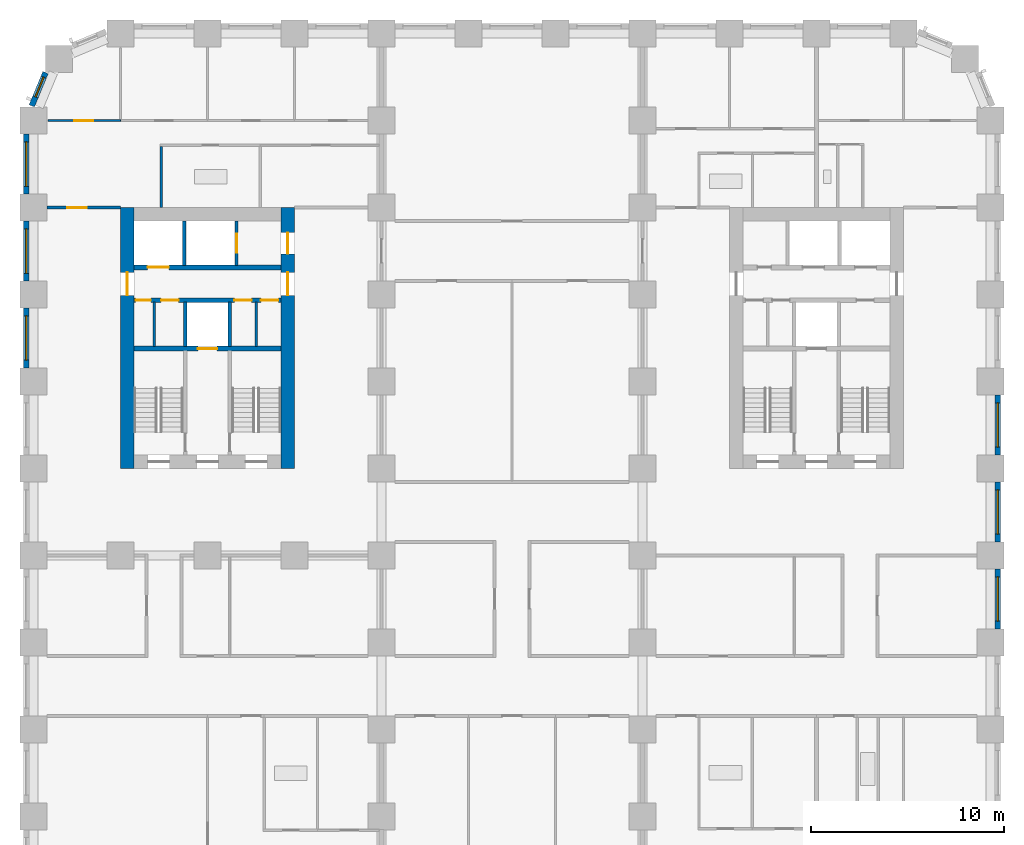
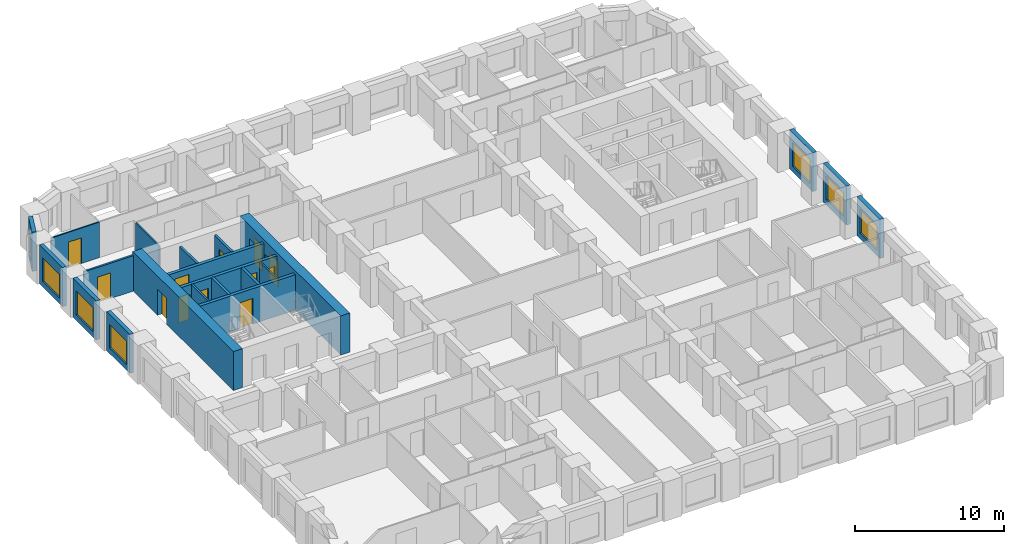
# One storey, part 6 of 12: 21 walls, 12 doors, 7 windows, 19 openings.
"""IFC4 building model written with IfcOpenShell, lengths in metres."""

from ifc_helpers import new_model, si_unit, direction, frame, frame_2d, origin, place, context, subcontext, project, spatial, rectangle, extrude, material, layer, layer_set, type_object, element, fill, save


model = new_model("IFC4")

# Units and contexts
model_context = context("Model", 3, precision=1e-05, world=origin(), true_north=direction((0.0, 1.0)))
body_context = subcontext(model_context, "Body", "Model", "MODEL_VIEW")
ifc_project = project(units=[si_unit("LENGTHUNIT", "METRE"), si_unit("AREAUNIT", "SQUARE_METRE"), si_unit("VOLUMEUNIT", "CUBIC_METRE"), si_unit("PLANEANGLEUNIT", "RADIAN"), si_unit("MASSUNIT", "GRAM", prefix="KILO")], contexts=[model_context])

# Site, building, storey
site_placement = place(None, origin())
site = spatial("IfcSite", under=ifc_project, at=site_placement, CompositionType="ELEMENT")
building_placement = place(site_placement, origin())
building = spatial("IfcBuilding", under=site, at=building_placement, Name="Girih Gate Residences", CompositionType="ELEMENT")
storey_placement = place(building_placement, frame((0.0, 0.0, 36.800048828125)))
storey = spatial("IfcBuildingStorey", under=building, at=storey_placement, Name="L08", CompositionType="ELEMENT", Elevation=36.800048828125)

# Wall, opening, door
ifc_material_1 = material(Name="Gypsum board on steel studs", Category="steel")
ifc_layer_1 = layer(ifc_material_1, 0.14990234375)
ifc_layer_set_1 = layer_set([ifc_layer_1], Name="Compartment wall 150 mm")
wall_type_1 = type_object("IfcWallType", Name="Compartment wall 150 mm", PredefinedType="PARTITIONING", material=ifc_layer_set_1)
wall_1_placement = place(storey_placement, frame((0.699951171875, 40.5, 0.0), z_axis=(0.0, 0.0, 1.0), x_axis=(1.0, 0.0, 0.0)))
wall_1 = element("IfcWall", 1, at=wall_1_placement, inside=storey, type_object=wall_type_1, Name="L08 partition", PredefinedType="PARTITIONING", context=body_context, shape_type="SweptSolid", body=[
    extrude(rectangle(XDim=3.800048828125, YDim=0.14990234375, at=frame_2d((1.89990234375, 0.0))), origin(), (0.0, 0.0, 1.0), 2.89990234375),
])
opening_1_placement = place(wall_1_placement, frame((1.050048828125, 0.0, 0.0)))
opening_1 = element("IfcOpeningElement", 2, at=opening_1_placement, cuts=wall_1, Name="Opening A08-014", PredefinedType="OPENING", context=body_context, shape_type="SweptSolid", body=[
    extrude(rectangle(XDim=1.0, YDim=2.10009765625, at=frame_2d((0.5, 1.050048828125))), frame((0.0, 0.0849609375, 0.0), z_axis=(0.0, -1.0, 0.0), x_axis=(1.0, 0.0, 0.0)), (0.0, 0.0, 1.0), 0.169921875),
])
ifc_material_2 = material(Name="Timber, fire-rated core", Category="wood")
door_type_1 = type_object("IfcDoorType", Name="Flat entrance door 1000x2100 FD30S", OperationType="NOTDEFINED", PredefinedType="DOOR", material=ifc_material_2)
door_1_placement = place(opening_1_placement, origin())
door_1 = element("IfcDoor", 3, at=door_1_placement, inside=storey, type_object=door_type_1, Name="Door A08-014", OperationType="SINGLE_SWING_LEFT", OverallHeight=2.10009765625, OverallWidth=1.0, PredefinedType="DOOR", context=body_context, shape_type="SweptSolid", body=[
    extrude(rectangle(XDim=1.0, YDim=2.10009765625, at=frame_2d((0.5, 1.050048828125))), frame((0.0, 0.02490234375, 0.0), z_axis=(0.0, -1.0, 0.0), x_axis=(1.0, 0.0, 0.0)), (0.0, 0.0, 1.0), 0.050048828125),
])
fill(opening_1, door_1)

ifc_material_3 = material(Name="Concrete C60/75", Category="concrete")
ifc_layer_2 = layer(ifc_material_3, 0.699951171875)
ifc_layer_set_2 = layer_set([ifc_layer_2], Name="Core wall RC 700 Concrete C60/75")
wall_type_2 = type_object("IfcWallType", Name="Core wall RC 700 Concrete C60/75", PredefinedType="SOLIDWALL", material=ifc_layer_set_2)
wall_2_placement = place(storey_placement, frame((4.85009765625, 27.0, 0.0), z_axis=(0.0, 0.0, 1.0), x_axis=(0.0, 1.0, 0.0)))
wall_2 = element("IfcWall", 4, at=wall_2_placement, inside=storey, type_object=wall_type_2, Name="Core wall W-W L08", PredefinedType="SOLIDWALL", context=body_context, shape_type="SweptSolid", body=[
    extrude(rectangle(XDim=13.5, YDim=0.699951171875, at=frame_2d((6.75, 0.0))), origin(), (0.0, 0.0, 1.0), 3.199951171875),
])
opening_2_placement = place(wall_2_placement, frame((8.949951171875, 0.0, 0.0)))
opening_2 = element("IfcOpeningElement", 5, at=opening_2_placement, cuts=wall_2, Name="Opening D-L08-W-014", PredefinedType="OPENING", context=body_context, shape_type="SweptSolid", body=[
    extrude(rectangle(XDim=1.199951171875, YDim=2.10009765625, at=frame_2d((0.60009765625, 1.050048828125))), frame((0.0, 0.35986328125, 0.0), z_axis=(0.0, -1.0, 0.0), x_axis=(1.0, 0.0, 0.0)), (0.0, 0.0, 1.0), 0.719970703125),
])
ifc_material_4 = material(Name="Painted steel, fire-resisting", Category="steel")
door_type_2 = type_object("IfcDoorType", Name="Fire door 1200x2100", OperationType="SINGLE_SWING_LEFT", PredefinedType="DOOR", material=ifc_material_4)
door_2_placement = place(opening_2_placement, origin())
door_2 = element("IfcDoor", 6, at=door_2_placement, inside=storey, type_object=door_type_2, Name="L08 W core door ll-w", OperationType="SINGLE_SWING_LEFT", OverallHeight=2.10009765625, OverallWidth=1.199951171875, PredefinedType="DOOR", context=body_context, shape_type="SweptSolid", body=[
    extrude(rectangle(XDim=1.199951171875, YDim=2.10009765625, at=frame_2d((0.60009765625, 1.050048828125))), frame((0.0, 0.02490234375, 0.0), z_axis=(0.0, -1.0, 0.0), x_axis=(1.0, 0.0, 0.0)), (0.0, 0.0, 1.0), 0.050048828125),
])
fill(opening_2, door_2)

# Wall, openings, doors
wall_3_placement = place(storey_placement, frame((13.14990234375, 27.0, 0.0), z_axis=(0.0, 0.0, 1.0), x_axis=(0.0, 1.0, 0.0)))
wall_3 = element("IfcWall", 7, at=wall_3_placement, inside=storey, type_object=wall_type_2, Name="Core wall W-E L08", PredefinedType="SOLIDWALL", context=body_context, shape_type="SweptSolid", body=[
    extrude(rectangle(XDim=13.5, YDim=0.699951171875, at=frame_2d((6.75, 0.0))), origin(), (0.0, 0.0, 1.0), 3.199951171875),
])
opening_3_placement = place(wall_3_placement, frame((11.10009765625, 0.0, 0.0)))
opening_3 = element("IfcOpeningElement", 8, at=opening_3_placement, cuts=wall_3, Name="Opening D-L08-W-013", PredefinedType="OPENING", context=body_context, shape_type="SweptSolid", body=[
    extrude(rectangle(XDim=1.10009765625, YDim=2.10009765625, at=frame_2d((0.550048828125, 1.050048828125))), frame((0.0, 0.35986328125, 0.0), z_axis=(0.0, -1.0, 0.0), x_axis=(1.0, 0.0, 0.0)), (0.0, 0.0, 1.0), 0.719970703125),
])
opening_4_placement = place(wall_3_placement, frame((8.949951171875, 0.0, 0.0)))
opening_4 = element("IfcOpeningElement", 9, at=opening_4_placement, cuts=wall_3, Name="Opening D-L08-W-015", PredefinedType="OPENING", context=body_context, shape_type="SweptSolid", body=[
    extrude(rectangle(XDim=1.199951171875, YDim=2.10009765625, at=frame_2d((0.60009765625, 1.050048828125))), frame((0.0, 0.35986328125, 0.0), z_axis=(0.0, -1.0, 0.0), x_axis=(1.0, 0.0, 0.0)), (0.0, 0.0, 1.0), 0.719970703125),
])
door_type_3 = type_object("IfcDoorType", Name="Fire door 1100x2100", OperationType="SINGLE_SWING_LEFT", PredefinedType="DOOR", material=ifc_material_4)
door_3_placement = place(opening_3_placement, origin())
door_3 = element("IfcDoor", 10, at=door_3_placement, inside=storey, type_object=door_type_3, Name="L08 W core door ffl2-e", OperationType="SINGLE_SWING_LEFT", OverallHeight=2.10009765625, OverallWidth=1.10009765625, PredefinedType="DOOR", context=body_context, shape_type="SweptSolid", body=[
    extrude(rectangle(XDim=1.10009765625, YDim=2.10009765625, at=frame_2d((0.550048828125, 1.050048828125))), frame((0.0, 0.02490234375, 0.0), z_axis=(0.0, -1.0, 0.0), x_axis=(1.0, 0.0, 0.0)), (0.0, 0.0, 1.0), 0.050048828125),
])
fill(opening_3, door_3)
door_4_placement = place(opening_4_placement, origin())
door_4 = element("IfcDoor", 11, at=door_4_placement, inside=storey, type_object=door_type_2, Name="L08 W core door ll-e", OperationType="SINGLE_SWING_LEFT", OverallHeight=2.10009765625, OverallWidth=1.199951171875, PredefinedType="DOOR", context=body_context, shape_type="SweptSolid", body=[
    extrude(rectangle(XDim=1.199951171875, YDim=2.10009765625, at=frame_2d((0.60009765625, 1.050048828125))), frame((0.0, 0.02490234375, 0.0), z_axis=(0.0, -1.0, 0.0), x_axis=(1.0, 0.0, 0.0)), (0.0, 0.0, 1.0), 0.050048828125),
])
fill(opening_4, door_4)

# Wall, opening, door
ifc_material_5 = material(Name="Concrete C40/50", Category="concrete")
ifc_layer_3 = layer(ifc_material_5, 0.25)
ifc_layer_set_3 = layer_set([ifc_layer_3], Name="Lift shaft wall 250")
wall_type_3 = type_object("IfcWallType", Name="Lift shaft wall 250", PredefinedType="SOLIDWALL", material=ifc_layer_set_3)
wall_4_placement = place(storey_placement, frame((5.199951171875, 33.199951171875, 0.0), z_axis=(0.0, 0.0, 1.0), x_axis=(1.0, 0.0, 0.0)))
wall_4 = element("IfcWall", 12, at=wall_4_placement, inside=storey, type_object=wall_type_3, Name="L08 W core wall H1", PredefinedType="SOLIDWALL", context=body_context, shape_type="SweptSolid", body=[
    extrude(rectangle(XDim=7.60009765625, YDim=0.25, at=frame_2d((3.800048828125, 0.0))), origin(), (0.0, 0.0, 1.0), 2.89990234375),
])
opening_5_placement = place(wall_4_placement, frame((3.300048828125, 0.0, 0.0)))
opening_5 = element("IfcOpeningElement", 13, at=opening_5_placement, cuts=wall_4, Name="Opening D-L08-W-005", PredefinedType="OPENING", context=body_context, shape_type="SweptSolid", body=[
    extrude(rectangle(XDim=1.0, YDim=2.10009765625, at=frame_2d((0.5, 1.050048828125))), frame((0.0, 0.135009765625, 0.0), z_axis=(0.0, -1.0, 0.0), x_axis=(1.0, 0.0, 0.0)), (0.0, 0.0, 1.0), 0.27001953125),
])
ifc_material_6 = material(Name="Stainless steel, fire-resisting", Category="steel")
door_type_4 = type_object("IfcDoorType", Name="Firefighting lift landing door 1000x2100", OperationType="SLIDING_TO_LEFT", PredefinedType="DOOR", material=ifc_material_6)
door_5_placement = place(opening_5_placement, origin())
door_5 = element("IfcDoor", 14, at=door_5_placement, inside=storey, type_object=door_type_4, Name="L08 lift FF-W landing door", OperationType="SLIDING_TO_LEFT", OverallHeight=2.10009765625, OverallWidth=1.0, PredefinedType="DOOR", context=body_context, shape_type="SweptSolid", body=[
    extrude(rectangle(XDim=1.0, YDim=2.10009765625, at=frame_2d((0.5, 1.050048828125))), frame((0.0, 0.02490234375, 0.0), z_axis=(0.0, -1.0, 0.0), x_axis=(1.0, 0.0, 0.0)), (0.0, 0.0, 1.0), 0.050048828125),
])
fill(opening_5, door_5)

# Wall, openings, doors
wall_5_placement = place(storey_placement, frame((5.199951171875, 35.699951171875, 0.0), z_axis=(0.0, 0.0, 1.0), x_axis=(1.0, 0.0, 0.0)))
wall_5 = element("IfcWall", 15, at=wall_5_placement, inside=storey, type_object=wall_type_3, Name="L08 W core wall H2", PredefinedType="SOLIDWALL", context=body_context, shape_type="SweptSolid", body=[
    extrude(rectangle(XDim=7.60009765625, YDim=0.25, at=frame_2d((3.800048828125, 0.0))), origin(), (0.0, 0.0, 1.0), 2.89990234375),
])
opening_6_placement = place(wall_5_placement, frame((0.074951171875, 0.0, 0.0)))
opening_6 = element("IfcOpeningElement", 16, at=opening_6_placement, cuts=wall_5, Name="Opening D-L08-W-006", PredefinedType="OPENING", context=body_context, shape_type="SweptSolid", body=[
    extrude(rectangle(XDim=0.800048828125, YDim=2.10009765625, at=frame_2d((0.39990234375, 1.050048828125))), frame((0.0, 0.135009765625, 0.0), z_axis=(0.0, -1.0, 0.0), x_axis=(1.0, 0.0, 0.0)), (0.0, 0.0, 1.0), 0.27001953125),
])
opening_7_placement = place(wall_5_placement, frame((1.39990234375, 0.0, 0.0)))
opening_7 = element("IfcOpeningElement", 17, at=opening_7_placement, cuts=wall_5, Name="Opening D-L08-W-007", PredefinedType="OPENING", context=body_context, shape_type="SweptSolid", body=[
    extrude(rectangle(XDim=0.89990234375, YDim=2.10009765625, at=frame_2d((0.449951171875, 1.050048828125))), frame((0.0, 0.135009765625, 0.0), z_axis=(0.0, -1.0, 0.0), x_axis=(1.0, 0.0, 0.0)), (0.0, 0.0, 1.0), 0.27001953125),
])
opening_8_placement = place(wall_5_placement, frame((5.1875, 0.0, 0.0)))
opening_8 = element("IfcOpeningElement", 18, at=opening_8_placement, cuts=wall_5, Name="Opening D-L08-W-008", PredefinedType="OPENING", context=body_context, shape_type="SweptSolid", body=[
    extrude(rectangle(XDim=0.89990234375, YDim=2.10009765625, at=frame_2d((0.449951171875, 1.050048828125))), frame((0.0, 0.135009765625, 0.0), z_axis=(0.0, -1.0, 0.0), x_axis=(1.0, 0.0, 0.0)), (0.0, 0.0, 1.0), 0.27001953125),
])
opening_9_placement = place(wall_5_placement, frame((6.5625, 0.0, 0.0)))
opening_9 = element("IfcOpeningElement", 19, at=opening_9_placement, cuts=wall_5, Name="Opening D-L08-W-009", PredefinedType="OPENING", context=body_context, shape_type="SweptSolid", body=[
    extrude(rectangle(XDim=0.89990234375, YDim=2.10009765625, at=frame_2d((0.449951171875, 1.050048828125))), frame((0.0, 0.135009765625, 0.0), z_axis=(0.0, -1.0, 0.0), x_axis=(1.0, 0.0, 0.0)), (0.0, 0.0, 1.0), 0.27001953125),
])
door_type_5 = type_object("IfcDoorType", Name="Fire door 800x2100", OperationType="SINGLE_SWING_LEFT", PredefinedType="DOOR", material=ifc_material_4)
door_6_placement = place(opening_6_placement, origin())
door_6 = element("IfcDoor", 20, at=door_6_placement, inside=storey, type_object=door_type_5, Name="L08 W linen store door", OperationType="SINGLE_SWING_LEFT", OverallHeight=2.10009765625, OverallWidth=0.800048828125, PredefinedType="DOOR", context=body_context, shape_type="SweptSolid", body=[
    extrude(rectangle(XDim=0.800048828125, YDim=2.10009765625, at=frame_2d((0.39990234375, 1.050048828125))), frame((0.0, 0.02490234375, 0.0), z_axis=(0.0, -1.0, 0.0), x_axis=(1.0, 0.0, 0.0)), (0.0, 0.0, 1.0), 0.050048828125),
])
fill(opening_6, door_6)
door_type_6 = type_object("IfcDoorType", Name="Fire door 900x2100", OperationType="SINGLE_SWING_LEFT", PredefinedType="DOOR", material=ifc_material_4)
door_7_placement = place(opening_7_placement, origin())
door_7 = element("IfcDoor", 21, at=door_7_placement, inside=storey, type_object=door_type_6, Name="L08 W housekeeping store door", OperationType="SINGLE_SWING_LEFT", OverallHeight=2.10009765625, OverallWidth=0.89990234375, PredefinedType="DOOR", context=body_context, shape_type="SweptSolid", body=[
    extrude(rectangle(XDim=0.89990234375, YDim=2.10009765625, at=frame_2d((0.449951171875, 1.050048828125))), frame((0.0, 0.02490234375, 0.0), z_axis=(0.0, -1.0, 0.0), x_axis=(1.0, 0.0, 0.0)), (0.0, 0.0, 1.0), 0.050048828125),
])
fill(opening_7, door_7)
door_8_placement = place(opening_8_placement, origin())
door_8 = element("IfcDoor", 22, at=door_8_placement, inside=storey, type_object=door_type_6, Name="L08 W comms room door", OperationType="SINGLE_SWING_LEFT", OverallHeight=2.10009765625, OverallWidth=0.89990234375, PredefinedType="DOOR", context=body_context, shape_type="SweptSolid", body=[
    extrude(rectangle(XDim=0.89990234375, YDim=2.10009765625, at=frame_2d((0.449951171875, 1.050048828125))), frame((0.0, 0.02490234375, 0.0), z_axis=(0.0, -1.0, 0.0), x_axis=(1.0, 0.0, 0.0)), (0.0, 0.0, 1.0), 0.050048828125),
])
fill(opening_8, door_8)
door_9_placement = place(opening_9_placement, origin())
door_9 = element("IfcDoor", 23, at=door_9_placement, inside=storey, type_object=door_type_6, Name="L08 W linen store door", OperationType="SINGLE_SWING_LEFT", OverallHeight=2.10009765625, OverallWidth=0.89990234375, PredefinedType="DOOR", context=body_context, shape_type="SweptSolid", body=[
    extrude(rectangle(XDim=0.89990234375, YDim=2.10009765625, at=frame_2d((0.449951171875, 1.050048828125))), frame((0.0, 0.02490234375, 0.0), z_axis=(0.0, -1.0, 0.0), x_axis=(1.0, 0.0, 0.0)), (0.0, 0.0, 1.0), 0.050048828125),
])
fill(opening_9, door_9)

# Wall, opening, door
wall_6_placement = place(storey_placement, frame((5.199951171875, 37.39990234375, 0.0), z_axis=(0.0, 0.0, 1.0), x_axis=(1.0, 0.0, 0.0)))
wall_6 = element("IfcWall", 24, at=wall_6_placement, inside=storey, type_object=wall_type_3, Name="L08 W core wall H3", PredefinedType="SOLIDWALL", context=body_context, shape_type="SweptSolid", body=[
    extrude(rectangle(XDim=7.60009765625, YDim=0.25, at=frame_2d((3.800048828125, 0.0))), origin(), (0.0, 0.0, 1.0), 2.89990234375),
])
opening_10_placement = place(wall_6_placement, frame((0.699951171875, 0.0, 0.0)))
opening_10 = element("IfcOpeningElement", 25, at=opening_10_placement, cuts=wall_6, Name="Opening D-L08-W-003", PredefinedType="OPENING", context=body_context, shape_type="SweptSolid", body=[
    extrude(rectangle(XDim=1.10009765625, YDim=2.39990234375, at=frame_2d((0.550048828125, 1.199951171875))), frame((0.0, 0.135009765625, 0.0), z_axis=(0.0, -1.0, 0.0), x_axis=(1.0, 0.0, 0.0)), (0.0, 0.0, 1.0), 0.27001953125),
])
ifc_material_7 = material(Name="Stainless steel", Category="steel")
door_type_7 = type_object("IfcDoorType", Name="Lift landing door 1100x2400", OperationType="SLIDING_TO_LEFT", PredefinedType="DOOR", material=ifc_material_7)
door_10_placement = place(opening_10_placement, origin())
door_10 = element("IfcDoor", 26, at=door_10_placement, inside=storey, type_object=door_type_7, Name="L08 lift LR-W1 landing door", OperationType="SLIDING_TO_LEFT", OverallHeight=2.39990234375, OverallWidth=1.10009765625, PredefinedType="DOOR", context=body_context, shape_type="SweptSolid", body=[
    extrude(rectangle(XDim=1.10009765625, YDim=2.39990234375, at=frame_2d((0.550048828125, 1.199951171875))), frame((0.0, 0.02490234375, 0.0), z_axis=(0.0, -1.0, 0.0), x_axis=(1.0, 0.0, 0.0)), (0.0, 0.0, 1.0), 0.050048828125),
])
fill(opening_10, door_10)

ifc_layer_4 = layer(ifc_material_1, 0.10009765625)
ifc_layer_set_4 = layer_set([ifc_layer_4], Name="Partition 100 mm")
wall_type_4 = type_object("IfcWallType", Name="Partition 100 mm", PredefinedType="PARTITIONING", material=ifc_layer_set_4)
wall_7_placement = place(storey_placement, frame((0.757568359375, 45.0, 0.0), z_axis=(0.0, 0.0, 1.0), x_axis=(1.0, 0.0, 0.0)))
wall_7 = element("IfcWall", 27, at=wall_7_placement, inside=storey, type_object=wall_type_4, Name="L08 partition", PredefinedType="PARTITIONING", context=body_context, shape_type="SweptSolid", body=[
    extrude(rectangle(XDim=3.742431640625, YDim=0.10009765625, at=frame_2d((1.87109375, 0.0))), origin(), (0.0, 0.0, 1.0), 2.89990234375),
])
opening_11_placement = place(wall_7_placement, frame((1.34228515625, 0.0, 0.0)))
opening_11 = element("IfcOpeningElement", 28, at=opening_11_placement, cuts=wall_7, Name="Opening A08-013", PredefinedType="OPENING", context=body_context, shape_type="SweptSolid", body=[
    extrude(rectangle(XDim=1.0, YDim=2.10009765625, at=frame_2d((0.5, 1.050048828125))), frame((0.0, 0.06005859375, 0.0), z_axis=(0.0, -1.0, 0.0), x_axis=(1.0, 0.0, 0.0)), (0.0, 0.0, 1.0), 0.1201171875),
])
ifc_material_8 = material(Name="Timber", Category="wood")
door_type_8 = type_object("IfcDoorType", Name="Living room door 1000x2100", OperationType="NOTDEFINED", PredefinedType="DOOR", material=ifc_material_8)
door_11_placement = place(opening_11_placement, origin())
door_11 = element("IfcDoor", 29, at=door_11_placement, inside=storey, type_object=door_type_8, Name="Door A08-013", OperationType="SINGLE_SWING_LEFT", OverallHeight=2.10009765625, OverallWidth=1.0, PredefinedType="DOOR", context=body_context, shape_type="SweptSolid", body=[
    extrude(rectangle(XDim=1.0, YDim=2.10009765625, at=frame_2d((0.5, 1.050048828125))), frame((0.0, 0.02490234375, 0.0), z_axis=(0.0, -1.0, 0.0), x_axis=(1.0, 0.0, 0.0)), (0.0, 0.0, 1.0), 0.050048828125),
])
fill(opening_11, door_11)

# Wall, opening, window
ifc_material_9 = material(Name="Precast concrete C50/60", Category="concrete")
ifc_layer_5 = layer(ifc_material_9, 0.080078125, Name="Outer leaf")
ifc_material_10 = material(Name="Rigid PIR insulation")
ifc_layer_6 = layer(ifc_material_10, 0.14990234375, Name="Insulation")
ifc_material_11 = material(Name="Precast concrete C40/50", Category="concrete")
ifc_layer_7 = layer(ifc_material_11, 0.070068359375, Name="Inner leaf")
ifc_layer_set_5 = layer_set([ifc_layer_5, ifc_layer_6, ifc_layer_7], Name="Precast concrete C50/60 external wall 300")
wall_type_5 = type_object("IfcWallType", Name="Precast concrete C50/60 external wall 300", PredefinedType="SOLIDWALL", material=ifc_layer_set_5)
wall_8_placement = place(storey_placement, frame((49.875, 21.800048828125, 0.0), z_axis=(0.0, 0.0, 1.0), x_axis=(0.0, -1.0, 0.0)))
wall_8 = element("IfcWall", 30, at=wall_8_placement, inside=storey, type_object=wall_type_5, Name="External wall E0495_0045.3", PredefinedType="SOLIDWALL", context=body_context, shape_type="SweptSolid", body=[
    extrude(rectangle(XDim=3.10009765625, YDim=0.300048828125, at=frame_2d((1.550048828125, 0.0))), origin(), (0.0, 0.0, 1.0), 3.199951171875),
])
opening_12_placement = place(wall_8_placement, frame((0.39990234375, 0.0, 0.449951171875)))
opening_12 = element("IfcOpeningElement", 31, at=opening_12_placement, cuts=wall_8, Name="Opening W-1", PredefinedType="OPENING", context=body_context, shape_type="SweptSolid", body=[
    extrude(rectangle(XDim=2.300048828125, YDim=1.949951171875, at=frame_2d((1.14990234375, 0.97509765625))), frame((0.0, 0.159912109375, 0.0), z_axis=(0.0, -1.0, 0.0), x_axis=(1.0, 0.0, 0.0)), (0.0, 0.0, 1.0), 0.320068359375),
])
ifc_material_12 = material(Name="Double glazing in aluminium frame", Category="aluminium")
window_type_1 = type_object("IfcWindowType", Name="Window W-1 2300x1950", PartitioningType="SINGLE_PANEL", PredefinedType="WINDOW", material=ifc_material_12)
window_1_placement = place(opening_12_placement, origin())
window_1 = element("IfcWindow", 32, at=window_1_placement, inside=storey, type_object=window_type_1, Name="Window W-1 E0495_0045.3", OverallHeight=1.949951171875, OverallWidth=2.300048828125, PartitioningType="SINGLE_PANEL", PredefinedType="WINDOW", context=body_context, shape_type="SweptSolid", body=[
    extrude(rectangle(XDim=2.300048828125, YDim=1.949951171875, at=frame_2d((1.14990234375, 0.97509765625))), frame((0.0, 0.030029296875, 0.0), z_axis=(0.0, -1.0, 0.0), x_axis=(1.0, 0.0, 0.0)), (0.0, 0.0, 1.0), 0.06005859375),
])
fill(opening_12, window_1)

wall_9_placement = place(storey_placement, frame((49.875, 26.300048828125, 0.0), z_axis=(0.0, 0.0, 1.0), x_axis=(0.0, -1.0, 0.0)))
wall_9 = element("IfcWall", 33, at=wall_9_placement, inside=storey, type_object=wall_type_5, Name="External wall E0495_0045.4", PredefinedType="SOLIDWALL", context=body_context, shape_type="SweptSolid", body=[
    extrude(rectangle(XDim=3.10009765625, YDim=0.300048828125, at=frame_2d((1.550048828125, 0.0))), origin(), (0.0, 0.0, 1.0), 3.199951171875),
])
opening_13_placement = place(wall_9_placement, frame((0.39990234375, 0.0, 0.449951171875)))
opening_13 = element("IfcOpeningElement", 34, at=opening_13_placement, cuts=wall_9, Name="Opening W-1", PredefinedType="OPENING", context=body_context, shape_type="SweptSolid", body=[
    extrude(rectangle(XDim=2.300048828125, YDim=1.949951171875, at=frame_2d((1.14990234375, 0.97509765625))), frame((0.0, 0.159912109375, 0.0), z_axis=(0.0, -1.0, 0.0), x_axis=(1.0, 0.0, 0.0)), (0.0, 0.0, 1.0), 0.320068359375),
])
window_2_placement = place(opening_13_placement, origin())
window_2 = element("IfcWindow", 35, at=window_2_placement, inside=storey, type_object=window_type_1, Name="Window W-1 E0495_0045.4", OverallHeight=1.949951171875, OverallWidth=2.300048828125, PartitioningType="SINGLE_PANEL", PredefinedType="WINDOW", context=body_context, shape_type="SweptSolid", body=[
    extrude(rectangle(XDim=2.300048828125, YDim=1.949951171875, at=frame_2d((1.14990234375, 0.97509765625))), frame((0.0, 0.030029296875, 0.0), z_axis=(0.0, -1.0, 0.0), x_axis=(1.0, 0.0, 0.0)), (0.0, 0.0, 1.0), 0.06005859375),
])
fill(opening_13, window_2)

wall_10_placement = place(storey_placement, frame((49.875, 30.800048828125, 0.0), z_axis=(0.0, 0.0, 1.0), x_axis=(0.0, -1.0, 0.0)))
wall_10 = element("IfcWall", 36, at=wall_10_placement, inside=storey, type_object=wall_type_5, Name="External wall E0495_0045.5", PredefinedType="SOLIDWALL", context=body_context, shape_type="SweptSolid", body=[
    extrude(rectangle(XDim=3.10009765625, YDim=0.300048828125, at=frame_2d((1.550048828125, 0.0))), origin(), (0.0, 0.0, 1.0), 3.199951171875),
])
opening_14_placement = place(wall_10_placement, frame((0.39990234375, 0.0, 0.449951171875)))
opening_14 = element("IfcOpeningElement", 37, at=opening_14_placement, cuts=wall_10, Name="Opening W-1", PredefinedType="OPENING", context=body_context, shape_type="SweptSolid", body=[
    extrude(rectangle(XDim=2.300048828125, YDim=1.949951171875, at=frame_2d((1.14990234375, 0.97509765625))), frame((0.0, 0.159912109375, 0.0), z_axis=(0.0, -1.0, 0.0), x_axis=(1.0, 0.0, 0.0)), (0.0, 0.0, 1.0), 0.320068359375),
])
window_3_placement = place(opening_14_placement, origin())
window_3 = element("IfcWindow", 38, at=window_3_placement, inside=storey, type_object=window_type_1, Name="Window W-1 E0495_0045.5", OverallHeight=1.949951171875, OverallWidth=2.300048828125, PartitioningType="SINGLE_PANEL", PredefinedType="WINDOW", context=body_context, shape_type="SweptSolid", body=[
    extrude(rectangle(XDim=2.300048828125, YDim=1.949951171875, at=frame_2d((1.14990234375, 0.97509765625))), frame((0.0, 0.030029296875, 0.0), z_axis=(0.0, -1.0, 0.0), x_axis=(1.0, 0.0, 0.0)), (0.0, 0.0, 1.0), 0.06005859375),
])
fill(opening_14, window_3)

wall_11_placement = place(storey_placement, frame((-0.09228515625, 45.75732421875, 0.0), z_axis=(0.0, 0.0, 1.0), x_axis=(0.382737135771, 0.923857286003, 0.0)))
wall_11 = element("IfcWall", 39, at=wall_11_placement, inside=storey, type_object=wall_type_5, Name="External wall NW0013_0482.0", PredefinedType="SOLIDWALL", context=body_context, shape_type="SweptSolid", body=[
    extrude(rectangle(XDim=1.865234375, YDim=0.300048828125, at=frame_2d((0.9326171875, 0.0))), origin(), (0.0, 0.0, 1.0), 3.199951171875),
])
opening_15_placement = place(wall_11_placement, frame((0.507568359375, 0.0, 0.449951171875)))
opening_15 = element("IfcOpeningElement", 40, at=opening_15_placement, cuts=wall_11, Name="Opening W-2C", PredefinedType="OPENING", context=body_context, shape_type="SweptSolid", body=[
    extrude(rectangle(XDim=1.10009765625, YDim=1.949951171875, at=frame_2d((0.550048828125, 0.97509765625))), frame((0.0, 0.159912109375, 0.0), z_axis=(0.0, -1.0, 0.0), x_axis=(1.0, 0.0, 0.0)), (0.0, 0.0, 1.0), 0.320068359375),
])
window_type_2 = type_object("IfcWindowType", Name="Window W-2C 1100x1950", PartitioningType="SINGLE_PANEL", PredefinedType="WINDOW", material=ifc_material_12)
window_4_placement = place(opening_15_placement, origin())
window_4 = element("IfcWindow", 41, at=window_4_placement, inside=storey, type_object=window_type_2, Name="Window W-2C NW0013_0482.0", OverallHeight=1.949951171875, OverallWidth=1.10009765625, PartitioningType="SINGLE_PANEL", PredefinedType="WINDOW", context=body_context, shape_type="SweptSolid", body=[
    extrude(rectangle(XDim=1.10009765625, YDim=1.949951171875, at=frame_2d((0.550048828125, 0.97509765625))), frame((0.0, 0.030029296875, 0.0), z_axis=(0.0, -1.0, 0.0), x_axis=(1.0, 0.0, 0.0)), (0.0, 0.0, 1.0), 0.06005859375),
])
fill(opening_15, window_4)

wall_12_placement = place(storey_placement, frame((-0.375, 41.199951171875, 0.0), z_axis=(0.0, 0.0, 1.0), x_axis=(0.0, 1.0, 0.0)))
wall_12 = element("IfcWall", 42, at=wall_12_placement, inside=storey, type_object=wall_type_5, Name="External wall W0000_0450.0", PredefinedType="SOLIDWALL", context=body_context, shape_type="SweptSolid", body=[
    extrude(rectangle(XDim=3.10009765625, YDim=0.300048828125, at=frame_2d((1.550048828125, 0.0))), origin(), (0.0, 0.0, 1.0), 3.199951171875),
])
opening_16_placement = place(wall_12_placement, frame((0.39990234375, 0.0, 0.449951171875)))
opening_16 = element("IfcOpeningElement", 43, at=opening_16_placement, cuts=wall_12, Name="Opening W-1", PredefinedType="OPENING", context=body_context, shape_type="SweptSolid", body=[
    extrude(rectangle(XDim=2.300048828125, YDim=1.949951171875, at=frame_2d((1.14990234375, 0.97509765625))), frame((0.0, 0.159912109375, 0.0), z_axis=(0.0, -1.0, 0.0), x_axis=(1.0, 0.0, 0.0)), (0.0, 0.0, 1.0), 0.320068359375),
])
window_5_placement = place(opening_16_placement, origin())
window_5 = element("IfcWindow", 44, at=window_5_placement, inside=storey, type_object=window_type_1, Name="Window W-1 W0000_0450.0", OverallHeight=1.949951171875, OverallWidth=2.300048828125, PartitioningType="SINGLE_PANEL", PredefinedType="WINDOW", context=body_context, shape_type="SweptSolid", body=[
    extrude(rectangle(XDim=2.300048828125, YDim=1.949951171875, at=frame_2d((1.14990234375, 0.97509765625))), frame((0.0, 0.030029296875, 0.0), z_axis=(0.0, -1.0, 0.0), x_axis=(1.0, 0.0, 0.0)), (0.0, 0.0, 1.0), 0.06005859375),
])
fill(opening_16, window_5)

wall_13_placement = place(storey_placement, frame((-0.375, 36.699951171875, 0.0), z_axis=(0.0, 0.0, 1.0), x_axis=(0.0, 1.0, 0.0)))
wall_13 = element("IfcWall", 45, at=wall_13_placement, inside=storey, type_object=wall_type_5, Name="External wall W0000_0450.1", PredefinedType="SOLIDWALL", context=body_context, shape_type="SweptSolid", body=[
    extrude(rectangle(XDim=3.10009765625, YDim=0.300048828125, at=frame_2d((1.550048828125, 0.0))), origin(), (0.0, 0.0, 1.0), 3.199951171875),
])
opening_17_placement = place(wall_13_placement, frame((0.39990234375, 0.0, 0.449951171875)))
opening_17 = element("IfcOpeningElement", 46, at=opening_17_placement, cuts=wall_13, Name="Opening W-1", PredefinedType="OPENING", context=body_context, shape_type="SweptSolid", body=[
    extrude(rectangle(XDim=2.300048828125, YDim=1.949951171875, at=frame_2d((1.14990234375, 0.97509765625))), frame((0.0, 0.159912109375, 0.0), z_axis=(0.0, -1.0, 0.0), x_axis=(1.0, 0.0, 0.0)), (0.0, 0.0, 1.0), 0.320068359375),
])
window_6_placement = place(opening_17_placement, origin())
window_6 = element("IfcWindow", 47, at=window_6_placement, inside=storey, type_object=window_type_1, Name="Window W-1 W0000_0450.1", OverallHeight=1.949951171875, OverallWidth=2.300048828125, PartitioningType="SINGLE_PANEL", PredefinedType="WINDOW", context=body_context, shape_type="SweptSolid", body=[
    extrude(rectangle(XDim=2.300048828125, YDim=1.949951171875, at=frame_2d((1.14990234375, 0.97509765625))), frame((0.0, 0.030029296875, 0.0), z_axis=(0.0, -1.0, 0.0), x_axis=(1.0, 0.0, 0.0)), (0.0, 0.0, 1.0), 0.06005859375),
])
fill(opening_17, window_6)

wall_14_placement = place(storey_placement, frame((-0.375, 32.199951171875, 0.0), z_axis=(0.0, 0.0, 1.0), x_axis=(0.0, 1.0, 0.0)))
wall_14 = element("IfcWall", 48, at=wall_14_placement, inside=storey, type_object=wall_type_5, Name="External wall W0000_0450.2", PredefinedType="SOLIDWALL", context=body_context, shape_type="SweptSolid", body=[
    extrude(rectangle(XDim=3.10009765625, YDim=0.300048828125, at=frame_2d((1.550048828125, 0.0))), origin(), (0.0, 0.0, 1.0), 3.199951171875),
])
opening_18_placement = place(wall_14_placement, frame((0.39990234375, 0.0, 0.449951171875)))
opening_18 = element("IfcOpeningElement", 49, at=opening_18_placement, cuts=wall_14, Name="Opening W-1", PredefinedType="OPENING", context=body_context, shape_type="SweptSolid", body=[
    extrude(rectangle(XDim=2.300048828125, YDim=1.949951171875, at=frame_2d((1.14990234375, 0.97509765625))), frame((0.0, 0.159912109375, 0.0), z_axis=(0.0, -1.0, 0.0), x_axis=(1.0, 0.0, 0.0)), (0.0, 0.0, 1.0), 0.320068359375),
])
window_7_placement = place(opening_18_placement, origin())
window_7 = element("IfcWindow", 50, at=window_7_placement, inside=storey, type_object=window_type_1, Name="Window W-1 W0000_0450.2", OverallHeight=1.949951171875, OverallWidth=2.300048828125, PartitioningType="SINGLE_PANEL", PredefinedType="WINDOW", context=body_context, shape_type="SweptSolid", body=[
    extrude(rectangle(XDim=2.300048828125, YDim=1.949951171875, at=frame_2d((1.14990234375, 0.97509765625))), frame((0.0, 0.030029296875, 0.0), z_axis=(0.0, -1.0, 0.0), x_axis=(1.0, 0.0, 0.0)), (0.0, 0.0, 1.0), 0.06005859375),
])
fill(opening_18, window_7)

# Wall
ifc_layer_8 = layer(ifc_material_5, 0.175048828125)
ifc_layer_set_6 = layer_set([ifc_layer_8], Name="Riser shaft wall 175")
wall_type_6 = type_object("IfcWallType", Name="Riser shaft wall 175", PredefinedType="SOLIDWALL", material=ifc_layer_set_6)
wall_15_placement = place(storey_placement, frame((7.800048828125, 37.5, 0.0), z_axis=(0.0, 0.0, 1.0), x_axis=(0.0, 1.0, 0.0)))
element("IfcWall", 51, at=wall_15_placement, inside=storey, type_object=wall_type_6, Name="L08 W core wall V1c", PredefinedType="SOLIDWALL", context=body_context, shape_type="SweptSolid", body=[
    extrude(rectangle(XDim=2.300048828125, YDim=0.175048828125, at=frame_2d((1.14990234375, 0.0))), origin(), (0.0, 0.0, 1.0), 2.89990234375),
])

# Wall, opening, door
wall_16_placement = place(storey_placement, frame((10.5, 37.5, 0.0), z_axis=(0.0, 0.0, 1.0), x_axis=(0.0, 1.0, 0.0)))
wall_16 = element("IfcWall", 52, at=wall_16_placement, inside=storey, type_object=wall_type_6, Name="L08 W core wall V2c", PredefinedType="SOLIDWALL", context=body_context, shape_type="SweptSolid", body=[
    extrude(rectangle(XDim=2.300048828125, YDim=0.175048828125, at=frame_2d((1.14990234375, 0.0))), origin(), (0.0, 0.0, 1.0), 2.89990234375),
])
opening_19_placement = place(wall_16_placement, frame((0.64990234375, 0.0, 0.0)))
opening_19 = element("IfcOpeningElement", 53, at=opening_19_placement, cuts=wall_16, Name="Opening D-L08-W-004", PredefinedType="OPENING", context=body_context, shape_type="SweptSolid", body=[
    extrude(rectangle(XDim=1.0, YDim=2.10009765625, at=frame_2d((0.5, 1.050048828125))), frame((0.0, 0.097412109375, 0.0), z_axis=(0.0, -1.0, 0.0), x_axis=(1.0, 0.0, 0.0)), (0.0, 0.0, 1.0), 0.195068359375),
])
door_12_placement = place(opening_19_placement, origin())
door_12 = element("IfcDoor", 54, at=door_12_placement, inside=storey, type_object=door_type_4, Name="L08 lift FF-W2 landing door", OperationType="SLIDING_TO_LEFT", OverallHeight=2.10009765625, OverallWidth=1.0, PredefinedType="DOOR", context=body_context, shape_type="SweptSolid", body=[
    extrude(rectangle(XDim=1.0, YDim=2.10009765625, at=frame_2d((0.5, 1.050048828125))), frame((0.0, 0.02490234375, 0.0), z_axis=(0.0, -1.0, 0.0), x_axis=(1.0, 0.0, 0.0)), (0.0, 0.0, 1.0), 0.050048828125),
])
fill(opening_19, door_12)

# Walls
ifc_layer_9 = layer(ifc_material_5, 0.199951171875)
ifc_layer_set_7 = layer_set([ifc_layer_9], Name="Shaft wall 200")
wall_type_7 = type_object("IfcWallType", Name="Shaft wall 200", PredefinedType="SOLIDWALL", material=ifc_layer_set_7)
for number, where, z_axis, x_axis, name in (
    (55, (7.85009765625, 33.300048828125, 0.0), (0.0, 0.0, 1.0), (0.0, 1.0, 0.0), "L08 W core wall V1b"),
    (56, (10.14990234375, 33.300048828125, 0.0), (0.0, 0.0, 1.0), (0.0, 1.0, 0.0), "L08 W core wall V2b"),
):
    element("IfcWall", number, at=place(storey_placement, frame(where, z_axis=z_axis, x_axis=x_axis)), inside=storey, type_object=wall_type_7, Name=name, PredefinedType="SOLIDWALL", context=body_context, shape_type="SweptSolid", body=[
        extrude(rectangle(XDim=2.300048828125, YDim=0.199951171875, at=frame_2d((1.14990234375, 0.0))), origin(), (0.0, 0.0, 1.0), 2.89990234375),
    ])
ifc_material_13 = material(Name="Calcium silicate blockwork", Category="masonry")
ifc_layer_10 = layer(ifc_material_13, 0.125)
ifc_layer_set_8 = layer_set([ifc_layer_10], Name="Store partition 125")
wall_type_8 = type_object("IfcWallType", Name="Store partition 125", PredefinedType="PARTITIONING", material=ifc_layer_set_8)
for number, where, z_axis, x_axis, name in (
    (57, (6.25, 33.300048828125, 0.0), (0.0, 0.0, 1.0), (0.0, 1.0, 0.0), "L08 W core wall SHR1"),
    (58, (11.52490234375, 33.300048828125, 0.0), (0.0, 0.0, 1.0), (0.0, 1.0, 0.0), "L08 W core wall SHR2"),
):
    element("IfcWall", number, at=place(storey_placement, frame(where, z_axis=z_axis, x_axis=x_axis)), inside=storey, type_object=wall_type_8, Name=name, PredefinedType="PARTITIONING", context=body_context, shape_type="SweptSolid", body=[
        extrude(rectangle(XDim=2.300048828125, YDim=0.125, at=frame_2d((1.14990234375, 0.0))), origin(), (0.0, 0.0, 1.0), 2.89990234375),
    ])
ifc_layer_11 = layer(ifc_material_1, 0.125)
ifc_layer_set_9 = layer_set([ifc_layer_11], Name="Wet room wall 125 mm")
wall_type_9 = type_object("IfcWallType", Name="Wet room wall 125 mm", PredefinedType="PARTITIONING", material=ifc_layer_set_9)
wall_17_placement = place(storey_placement, frame((6.60009765625, 40.5, 0.0), z_axis=(0.0, 0.0, 1.0), x_axis=(0.0, 1.0, 0.0)))
element("IfcWall", 59, at=wall_17_placement, inside=storey, type_object=wall_type_9, Name="L08 partition", PredefinedType="PARTITIONING", context=body_context, shape_type="SweptSolid", body=[
    extrude(rectangle(XDim=3.157470703125, YDim=0.125, at=frame_2d((1.57861328125, 0.0))), origin(), (0.0, 0.0, 1.0), 2.89990234375),
])

save(model, "model.ifc")
